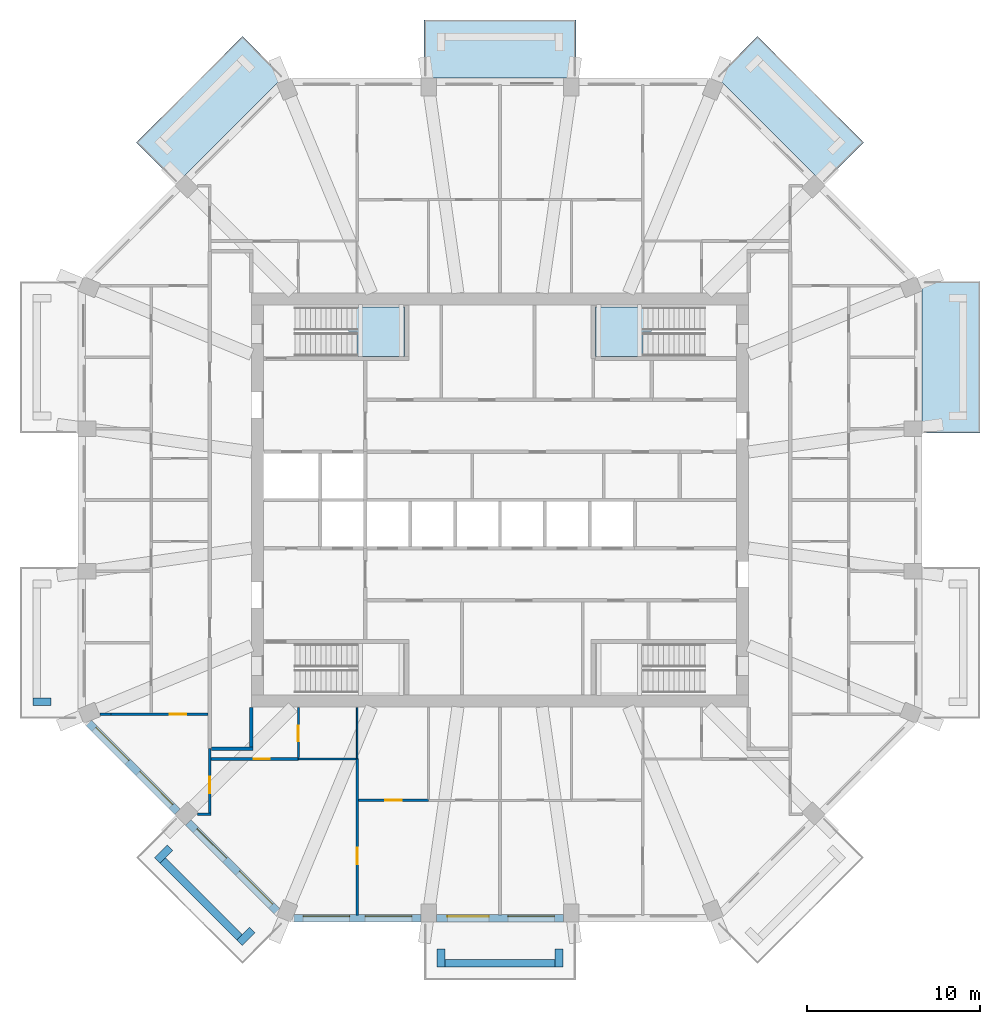
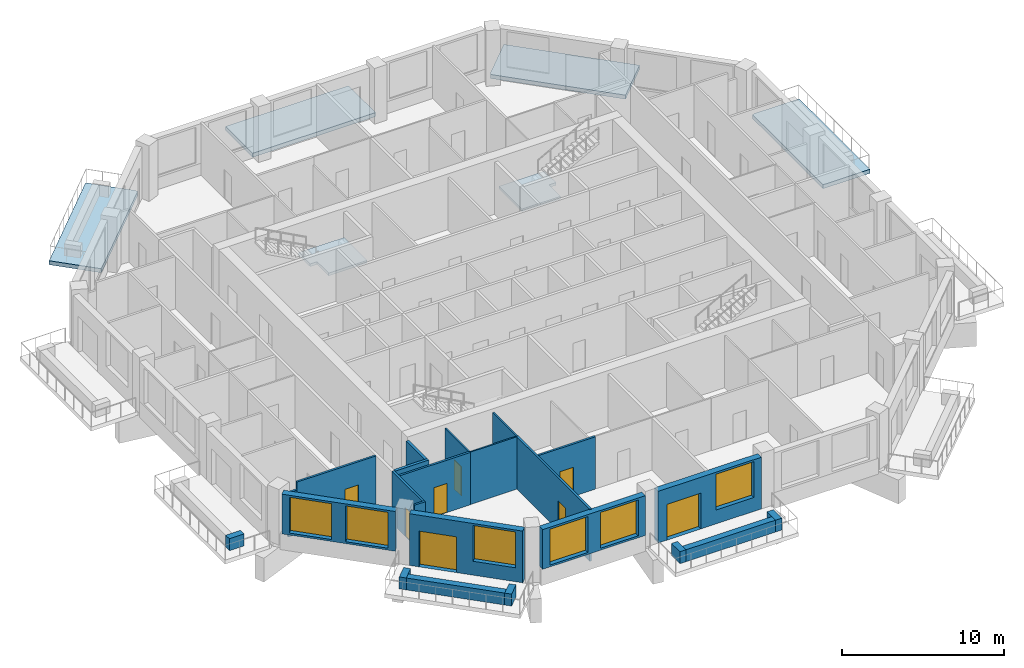
# One storey, part 2 of 12: 23 walls, 8 doors, 6 slabs, 6 windows, 14 openings, 2 elements without a shape of their own.
"""IFC4 building model written with IfcOpenShell, lengths in metres."""

from ifc_helpers import new_model, si_unit, direction, frame, frame_2d, origin, place, context, subcontext, project, spatial, polyline, rectangle, outline, extrude, material, layer, layer_set, type_object, element, fill, aggregate, save


model = new_model("IFC4")

# Units and contexts
model_context = context("Model", 3, precision=1e-05, world=origin(), true_north=direction((0.0, 1.0)))
body_context = subcontext(model_context, "Body", "Model", "MODEL_VIEW")
ifc_project = project(units=[si_unit("LENGTHUNIT", "METRE"), si_unit("AREAUNIT", "SQUARE_METRE"), si_unit("VOLUMEUNIT", "CUBIC_METRE"), si_unit("PLANEANGLEUNIT", "RADIAN"), si_unit("MASSUNIT", "GRAM", prefix="KILO")], contexts=[model_context])

# Site, building, storey
site_placement = place(None, origin())
site = spatial("IfcSite", under=ifc_project, at=site_placement, CompositionType="ELEMENT")
building_placement = place(site_placement, origin())
building = spatial("IfcBuilding", under=site, at=building_placement, Name="Msitu Wima Residences", CompositionType="ELEMENT")
storey_placement = place(building_placement, frame((0.0, 0.0, 162.300048828125)))
storey = spatial("IfcBuildingStorey", under=building, at=storey_placement, Name="L37", CompositionType="ELEMENT", Elevation=162.300048828125)

# Slabs
ifc_material_1 = material(Name="Concrete C40/50", Category="concrete")
ifc_layer_1 = layer(ifc_material_1, 0.300048828125)
ifc_layer_set_1 = layer_set([ifc_layer_1], Name="Concrete C40/50")
slab_type_1 = type_object("IfcSlabType", Name="Balcony slab BS300", PredefinedType="FLOOR", material=ifc_layer_set_1)
slab_1_placement = place(storey_placement, frame((0.0, 0.0, -0.300048828125)))
element("IfcSlab", 1, at=slab_1_placement, inside=storey, type_object=slab_type_1, Name="Balcony E2 L37", PredefinedType="FLOOR", context=body_context, shape_type="SweptSolid", body=[
    extrude(outline(polyline([(24.449951171875, 12.111083984375), (24.449951171875, 12.111083984375), (24.449951171875, 12.111083984375), (24.449951171875, 12.59814453125), (24.603515625, 12.661865234375), (27.800048828125, 12.661865234375), (27.800048828125, 3.88720703125), (24.449951171875, 3.88720703125), (24.449951171875, 4.587158203125), (24.449951171875, 12.111083984375)])), origin(), (0.0, 0.0, 1.0), 0.300048828125),
])
slab_2_placement = place(storey_placement, frame((0.0, 0.0, -0.300048828125)))
element("IfcSlab", 2, at=slab_2_placement, inside=storey, type_object=slab_type_1, Name="Balcony NE1 L37", PredefinedType="FLOOR", context=body_context, shape_type="SweptSolid", body=[
    extrude(outline(polyline([(12.942626953125, 24.10546875), (12.942626953125, 24.10546875), (12.59814453125, 24.449951171875), (12.661865234375, 24.603515625), (14.922119140625, 26.86376953125), (21.069580078125, 20.716064453125), (18.700927734375, 18.347412109375), (12.942626953125, 24.10546875), (12.942626953125, 24.10546875)])), origin(), (0.0, 0.0, 1.0), 0.300048828125),
])
slab_3_placement = place(storey_placement, frame((0.0, 0.0, -0.300048828125)))
element("IfcSlab", 3, at=slab_3_placement, inside=storey, type_object=slab_type_1, Name="Balcony N1 L37", PredefinedType="FLOOR", context=body_context, shape_type="SweptSolid", body=[
    extrude(outline(polyline([(3.687255859375, 24.449951171875), (-3.687255859375, 24.449951171875), (-4.38720703125, 24.449951171875), (-4.38720703125, 27.800048828125), (4.38720703125, 27.800048828125), (4.38720703125, 24.449951171875), (3.687255859375, 24.449951171875)])), origin(), (0.0, 0.0, 1.0), 0.300048828125),
])
slab_4_placement = place(storey_placement, frame((0.0, 0.0, -0.300048828125)))
element("IfcSlab", 4, at=slab_4_placement, inside=storey, type_object=slab_type_1, Name="Balcony NW0 L37", PredefinedType="FLOOR", context=body_context, shape_type="SweptSolid", body=[
    extrude(outline(polyline([(-12.942626953125, 24.10546875), (-12.942626953125, 24.10546875), (-18.700927734375, 18.347412109375), (-21.069580078125, 20.716064453125), (-14.922119140625, 26.86376953125), (-12.661865234375, 24.603515625), (-12.59814453125, 24.449951171875), (-12.942626953125, 24.10546875), (-12.942626953125, 24.10546875)])), origin(), (0.0, 0.0, 1.0), 0.300048828125),
])

# Stair, slab
stair_type = type_object("IfcStairType", Name="Exit stair ES1615-135", PredefinedType="HALF_TURN_STAIR", material=ifc_material_1)
stair_1_placement = place(storey_placement, origin())
stair_1 = element("IfcStair", 5, at=stair_1_placement, inside=storey, type_object=stair_type, Name="Exit stair 1", PredefinedType="HALF_TURN_STAIR")
ifc_layer_2 = layer(ifc_material_1, 0.199951171875)
ifc_layer_set_2 = layer_set([ifc_layer_2], Name="Concrete C40/50")
slab_type_2 = type_object("IfcSlabType", Name="Stair landing SL200", PredefinedType="LANDING", material=ifc_layer_set_2)
slab_5_placement = place(storey_placement, frame((0.0, 0.0, 1.89990234375)))
slab_5 = element("IfcSlab", 6, at=slab_5_placement, type_object=slab_type_2, Name="S1 landing 1", PredefinedType="LANDING", context=body_context, shape_type="SweptSolid", body=[
    extrude(outline(polyline([(-5.52490234375, 8.324951171875), (-8.275390625, 8.324951171875), (-8.275390625, 9.75), (-8.77490234375, 9.75), (-8.77490234375, 11.175048828125), (-5.52490234375, 11.175048828125), (-5.52490234375, 8.324951171875)])), origin(), (0.0, 0.0, 1.0), 0.199951171875),
])
aggregate(stair_1, [slab_5])

stair_2_placement = place(storey_placement, origin())
stair_2 = element("IfcStair", 7, at=stair_2_placement, inside=storey, type_object=stair_type, Name="Exit stair 3", PredefinedType="HALF_TURN_STAIR")
slab_6_placement = place(storey_placement, frame((0.0, 0.0, 1.89990234375)))
slab_6 = element("IfcSlab", 8, at=slab_6_placement, type_object=slab_type_2, Name="S3 landing 1", PredefinedType="LANDING", context=body_context, shape_type="SweptSolid", body=[
    extrude(outline(polyline([(5.52490234375, 8.324951171875), (8.275390625, 8.324951171875), (8.275390625, 9.75), (8.77490234375, 9.75), (8.77490234375, 11.175048828125), (5.52490234375, 11.175048828125), (5.52490234375, 8.324951171875)])), origin(), (0.0, 0.0, 1.0), 0.199951171875),
])
aggregate(stair_2, [slab_6])

# Walls
ifc_material_2 = material(Name="Facing brick")
ifc_layer_3 = layer(ifc_material_2, 0.06494140625, Name="Facing brick")
ifc_layer_4 = layer(ifc_material_1, 0.156005859375, Name="Concrete C40/50")
ifc_material_3 = material(Name="Waterproofing membrane")
ifc_layer_5 = layer(ifc_material_3, 0.00390625, Name="Waterproofing membrane")
ifc_material_4 = material(Name="Planting soil and planting")
ifc_layer_6 = layer(ifc_material_4, 0.22509765625, Name="Planting soil and planting")
ifc_layer_set_3 = layer_set([ifc_layer_3, ifc_layer_4, ifc_layer_5, ifc_layer_6], Name="Concrete C40/50")
wall_type_1 = type_object("IfcWallType", Name="Balcony planter PLANTER PL450", PredefinedType="USERDEFINED", material=ifc_layer_set_3)
wall_1_placement = place(storey_placement, frame((-26.0, -11.686767578125, 0.0), z_axis=(0.0, 0.0, 1.0), x_axis=(-1.0, 0.0, 0.0)))
element("IfcWall", 9, at=wall_1_placement, inside=storey, type_object=wall_type_1, Name="Balcony planter W2 L37", ObjectType="PLANTER", PredefinedType="USERDEFINED", context=body_context, shape_type="SweptSolid", body=[
    extrude(rectangle(XDim=1.050048828125, YDim=0.449951171875, at=frame_2d((0.52490234375, 0.0))), origin(), (0.0, 0.0, 1.0), 0.89990234375),
])
wall_2_placement = place(storey_placement, frame((-19.53173828125, -20.875244140625, 0.0), z_axis=(0.0, 0.0, 1.0), x_axis=(0.707106781187, -0.707106781187, 0.0)))
element("IfcWall", 10, at=wall_2_placement, inside=storey, type_object=wall_type_1, Name="Balcony planter SW1 L37", ObjectType="PLANTER", PredefinedType="USERDEFINED", context=body_context, shape_type="SweptSolid", body=[
    extrude(rectangle(XDim=6.294189453125, YDim=0.449951171875, at=frame_2d((3.14697265625, 0.0))), origin(), (0.0, 0.0, 1.0), 0.89990234375),
])
for number, where, z_axis, x_axis, name in (
    (11, (-19.107421875, -20.1328125, 0.0), (0.0, 0.0, 1.0), (-0.707106781187, -0.707106781187, 0.0), "Balcony planter SW1 L37"),
    (12, (-14.338623046875, -24.901611328125, 0.0), (0.0, 0.0, 1.0), (-0.707106781187, -0.707106781187, 0.0), "Balcony planter SW1 L37"),
):
    element("IfcWall", number, at=place(storey_placement, frame(where, z_axis=z_axis, x_axis=x_axis)), inside=storey, type_object=wall_type_1, Name=name, ObjectType="PLANTER", PredefinedType="USERDEFINED", context=body_context, shape_type="SweptSolid", body=[
        extrude(rectangle(XDim=1.050048828125, YDim=0.449951171875, at=frame_2d((0.52490234375, 0.0))), origin(), (0.0, 0.0, 1.0), 0.89990234375),
    ])
wall_3_placement = place(storey_placement, frame((-3.187255859375, -26.824951171875, 0.0), z_axis=(0.0, 0.0, 1.0), x_axis=(1.0, 0.0, 0.0)))
element("IfcWall", 13, at=wall_3_placement, inside=storey, type_object=wall_type_1, Name="Balcony planter S1 L37", ObjectType="PLANTER", PredefinedType="USERDEFINED", context=body_context, shape_type="SweptSolid", body=[
    extrude(rectangle(XDim=6.37451171875, YDim=0.449951171875, at=frame_2d((3.187255859375, 0.0))), origin(), (0.0, 0.0, 1.0), 0.89990234375),
])
for number, where, z_axis, x_axis, name in (
    (14, (-3.412353515625, -26.0, 0.0), (0.0, 0.0, 1.0), (0.0, -1.0, 0.0), "Balcony planter S1 L37"),
    (15, (3.412353515625, -26.0, 0.0), (0.0, 0.0, 1.0), (0.0, -1.0, 0.0), "Balcony planter S1 L37"),
):
    element("IfcWall", number, at=place(storey_placement, frame(where, z_axis=z_axis, x_axis=x_axis)), inside=storey, type_object=wall_type_1, Name=name, ObjectType="PLANTER", PredefinedType="USERDEFINED", context=body_context, shape_type="SweptSolid", body=[
        extrude(rectangle(XDim=1.050048828125, YDim=0.449951171875, at=frame_2d((0.52490234375, 0.0))), origin(), (0.0, 0.0, 1.0), 0.89990234375),
    ])

# Wall, openings, windows
ifc_material_5 = material(Name="Brick (red buff mix)", Category="masonry")
ifc_layer_7 = layer(ifc_material_5, 0.449951171875)
ifc_layer_set_4 = layer_set([ifc_layer_7], Name="Brick (red buff mix)")
wall_type_2 = type_object("IfcWallType", Name="Brick infill wall BW450", PredefinedType="SOLIDWALL", material=ifc_layer_set_4)
wall_4_placement = place(storey_placement, frame((-23.814697265625, -12.915283203125, 0.89990234375), z_axis=(0.0, 0.0, 1.0), x_axis=(0.707106781187, -0.707106781187, 0.0)))
wall_4 = element("IfcWall", 16, at=wall_4_placement, inside=storey, type_object=wall_type_2, Name="Brick infill wall L37 SW0", PredefinedType="SOLIDWALL", context=body_context, shape_type="SweptSolid", body=[
    extrude(rectangle(XDim=7.257080078125, YDim=0.449951171875, at=frame_2d((3.62841796875, 0.0))), origin(), (0.0, 0.0, 1.0), 3.0),
])
opening_1_placement = place(wall_4_placement, frame((0.478515625, 0.0, 0.14990234375)))
opening_1 = element("IfcOpeningElement", 17, at=opening_1_placement, cuts=wall_4, Name="Opening W37.024", PredefinedType="OPENING", context=body_context, shape_type="SweptSolid", body=[
    extrude(rectangle(XDim=2.699951171875, YDim=2.699951171875, at=frame_2d((1.35009765625, 1.35009765625))), frame((0.0, 0.23486328125, 0.0), z_axis=(0.0, -1.0, 0.0), x_axis=(1.0, 0.0, 0.0)), (0.0, 0.0, 1.0), 0.469970703125),
])
opening_2_placement = place(wall_4_placement, frame((4.07861328125, 0.0, 0.14990234375)))
opening_2 = element("IfcOpeningElement", 18, at=opening_2_placement, cuts=wall_4, Name="Opening W37.025", PredefinedType="OPENING", context=body_context, shape_type="SweptSolid", body=[
    extrude(rectangle(XDim=2.699951171875, YDim=2.699951171875, at=frame_2d((1.35009765625, 1.35009765625))), frame((0.0, 0.23486328125, 0.0), z_axis=(0.0, -1.0, 0.0), x_axis=(1.0, 0.0, 0.0)), (0.0, 0.0, 1.0), 0.469970703125),
])
ifc_material_6 = material(Name="Anodised aluminium, bronze finish, clear low-emissivity double glazing", Category="aluminium")
window_type = type_object("IfcWindowType", Name="Window W2700x2700", PartitioningType="DOUBLE_PANEL_VERTICAL", PredefinedType="WINDOW", material=ifc_material_6)
window_1_placement = place(opening_1_placement, origin())
window_1 = element("IfcWindow", 19, at=window_1_placement, inside=storey, type_object=window_type, Name="Window L37 SW0.1", OverallHeight=2.699951171875, OverallWidth=2.699951171875, PartitioningType="SINGLE_PANEL", PredefinedType="WINDOW", context=body_context, shape_type="SweptSolid", body=[
    extrude(rectangle(XDim=2.699951171875, YDim=2.699951171875, at=frame_2d((1.35009765625, 1.35009765625))), frame((0.0, 0.135009765625, 0.0), z_axis=(0.0, -1.0, 0.0), x_axis=(1.0, 0.0, 0.0)), (0.0, 0.0, 1.0), 0.06005859375),
])
fill(opening_1, window_1)
window_2_placement = place(opening_2_placement, origin())
window_2 = element("IfcWindow", 20, at=window_2_placement, inside=storey, type_object=window_type, Name="Window L37 SW0.2", OverallHeight=2.699951171875, OverallWidth=2.699951171875, PartitioningType="SINGLE_PANEL", PredefinedType="WINDOW", context=body_context, shape_type="SweptSolid", body=[
    extrude(rectangle(XDim=2.699951171875, YDim=2.699951171875, at=frame_2d((1.35009765625, 1.35009765625))), frame((0.0, 0.135009765625, 0.0), z_axis=(0.0, -1.0, 0.0), x_axis=(1.0, 0.0, 0.0)), (0.0, 0.0, 1.0), 0.06005859375),
])
fill(opening_2, window_2)

# Wall, openings, door, window
wall_5_placement = place(storey_placement, frame((-18.046875, -18.68310546875, 0.0), z_axis=(0.0, 0.0, 1.0), x_axis=(0.707106781187, -0.707106781187, 0.0)))
wall_5 = element("IfcWall", 21, at=wall_5_placement, inside=storey, type_object=wall_type_2, Name="Brick infill wall L37 SW1", PredefinedType="SOLIDWALL", context=body_context, shape_type="SweptSolid", body=[
    extrude(rectangle(XDim=7.257080078125, YDim=0.449951171875, at=frame_2d((3.62841796875, 0.0))), origin(), (0.0, 0.0, 1.0), 3.89990234375),
])
opening_3_placement = place(wall_5_placement, frame((0.6142578125, 0.0, 0.0)))
opening_3 = element("IfcOpeningElement", 22, at=opening_3_placement, cuts=wall_5, Name="Opening D37.008", PredefinedType="OPENING", context=body_context, shape_type="SweptSolid", body=[
    extrude(rectangle(XDim=2.39990234375, YDim=2.699951171875, at=frame_2d((1.199951171875, 1.35009765625))), frame((0.0, 0.23486328125, 0.0), z_axis=(0.0, -1.0, 0.0), x_axis=(1.0, 0.0, 0.0)), (0.0, 0.0, 1.0), 0.469970703125),
])
opening_4_placement = place(wall_5_placement, frame((4.07861328125, 0.0, 1.050048828125)))
opening_4 = element("IfcOpeningElement", 23, at=opening_4_placement, cuts=wall_5, Name="Opening W37.026", PredefinedType="OPENING", context=body_context, shape_type="SweptSolid", body=[
    extrude(rectangle(XDim=2.699951171875, YDim=2.699951171875, at=frame_2d((1.35009765625, 1.35009765625))), frame((0.0, 0.23486328125, 0.0), z_axis=(0.0, -1.0, 0.0), x_axis=(1.0, 0.0, 0.0)), (0.0, 0.0, 1.0), 0.469970703125),
])
door_type_1 = type_object("IfcDoorType", Name="Balcony door D2400x2700", OperationType="SLIDING_TO_LEFT", PredefinedType="DOOR", material=ifc_material_6)
door_1_placement = place(opening_3_placement, origin())
door_1 = element("IfcDoor", 24, at=door_1_placement, inside=storey, type_object=door_type_1, Name="Balcony door L37 SW1", OperationType="SINGLE_SWING_LEFT", OverallHeight=2.699951171875, OverallWidth=2.39990234375, PredefinedType="DOOR", context=body_context, shape_type="SweptSolid", body=[
    extrude(rectangle(XDim=2.39990234375, YDim=2.699951171875, at=frame_2d((1.199951171875, 1.35009765625))), frame((0.0, 0.1298828125, 0.0), z_axis=(0.0, -1.0, 0.0), x_axis=(1.0, 0.0, 0.0)), (0.0, 0.0, 1.0), 0.050048828125),
])
fill(opening_3, door_1)
window_3_placement = place(opening_4_placement, origin())
window_3 = element("IfcWindow", 25, at=window_3_placement, inside=storey, type_object=window_type, Name="Window L37 SW1.2", OverallHeight=2.699951171875, OverallWidth=2.699951171875, PartitioningType="SINGLE_PANEL", PredefinedType="WINDOW", context=body_context, shape_type="SweptSolid", body=[
    extrude(rectangle(XDim=2.699951171875, YDim=2.699951171875, at=frame_2d((1.35009765625, 1.35009765625))), frame((0.0, 0.135009765625, 0.0), z_axis=(0.0, -1.0, 0.0), x_axis=(1.0, 0.0, 0.0)), (0.0, 0.0, 1.0), 0.06005859375),
])
fill(opening_4, window_3)

# Wall, openings, windows
wall_6_placement = place(storey_placement, frame((-11.9248046875, -24.22509765625, 0.89990234375), z_axis=(0.0, 0.0, 1.0), x_axis=(1.0, 0.0, 0.0)))
wall_6 = element("IfcWall", 26, at=wall_6_placement, inside=storey, type_object=wall_type_2, Name="Brick infill wall L37 S0", PredefinedType="SOLIDWALL", context=body_context, shape_type="SweptSolid", body=[
    extrude(rectangle(XDim=7.337646484375, YDim=0.449951171875, at=frame_2d((3.6689453125, 0.0))), origin(), (0.0, 0.0, 1.0), 3.0),
])
opening_5_placement = place(wall_6_placement, frame((0.518798828125, 0.0, 0.14990234375)))
opening_5 = element("IfcOpeningElement", 27, at=opening_5_placement, cuts=wall_6, Name="Opening W37.016", PredefinedType="OPENING", context=body_context, shape_type="SweptSolid", body=[
    extrude(rectangle(XDim=2.699951171875, YDim=2.699951171875, at=frame_2d((1.35009765625, 1.35009765625))), frame((0.0, 0.23486328125, 0.0), z_axis=(0.0, -1.0, 0.0), x_axis=(1.0, 0.0, 0.0)), (0.0, 0.0, 1.0), 0.469970703125),
])
opening_6_placement = place(wall_6_placement, frame((4.11865234375, 0.0, 0.14990234375)))
opening_6 = element("IfcOpeningElement", 28, at=opening_6_placement, cuts=wall_6, Name="Opening W37.017", PredefinedType="OPENING", context=body_context, shape_type="SweptSolid", body=[
    extrude(rectangle(XDim=2.699951171875, YDim=2.699951171875, at=frame_2d((1.35009765625, 1.35009765625))), frame((0.0, 0.23486328125, 0.0), z_axis=(0.0, -1.0, 0.0), x_axis=(1.0, 0.0, 0.0)), (0.0, 0.0, 1.0), 0.469970703125),
])
window_4_placement = place(opening_5_placement, origin())
window_4 = element("IfcWindow", 29, at=window_4_placement, inside=storey, type_object=window_type, Name="Window L37 S0.1", OverallHeight=2.699951171875, OverallWidth=2.699951171875, PartitioningType="SINGLE_PANEL", PredefinedType="WINDOW", context=body_context, shape_type="SweptSolid", body=[
    extrude(rectangle(XDim=2.699951171875, YDim=2.699951171875, at=frame_2d((1.35009765625, 1.35009765625))), frame((0.0, 0.135009765625, 0.0), z_axis=(0.0, -1.0, 0.0), x_axis=(1.0, 0.0, 0.0)), (0.0, 0.0, 1.0), 0.06005859375),
])
fill(opening_5, window_4)
window_5_placement = place(opening_6_placement, origin())
window_5 = element("IfcWindow", 30, at=window_5_placement, inside=storey, type_object=window_type, Name="Window L37 S0.2", OverallHeight=2.699951171875, OverallWidth=2.699951171875, PartitioningType="SINGLE_PANEL", PredefinedType="WINDOW", context=body_context, shape_type="SweptSolid", body=[
    extrude(rectangle(XDim=2.699951171875, YDim=2.699951171875, at=frame_2d((1.35009765625, 1.35009765625))), frame((0.0, 0.135009765625, 0.0), z_axis=(0.0, -1.0, 0.0), x_axis=(1.0, 0.0, 0.0)), (0.0, 0.0, 1.0), 0.06005859375),
])
fill(opening_6, window_5)

# Wall, openings, door, window
wall_7_placement = place(storey_placement, frame((-3.687255859375, -24.22509765625, 0.0), z_axis=(0.0, 0.0, 1.0), x_axis=(1.0, 0.0, 0.0)))
wall_7 = element("IfcWall", 31, at=wall_7_placement, inside=storey, type_object=wall_type_2, Name="Brick infill wall L37 S1", PredefinedType="SOLIDWALL", context=body_context, shape_type="SweptSolid", body=[
    extrude(rectangle(XDim=7.37451171875, YDim=0.449951171875, at=frame_2d((3.687255859375, 0.0))), origin(), (0.0, 0.0, 1.0), 3.89990234375),
])
opening_7_placement = place(wall_7_placement, frame((0.6435546875, 0.0, 0.0)))
opening_7 = element("IfcOpeningElement", 32, at=opening_7_placement, cuts=wall_7, Name="Opening D37.006", PredefinedType="OPENING", context=body_context, shape_type="SweptSolid", body=[
    extrude(rectangle(XDim=2.39990234375, YDim=2.699951171875, at=frame_2d((1.199951171875, 1.35009765625))), frame((0.0, 0.23486328125, 0.0), z_axis=(0.0, -1.0, 0.0), x_axis=(1.0, 0.0, 0.0)), (0.0, 0.0, 1.0), 0.469970703125),
])
opening_8_placement = place(wall_7_placement, frame((4.13720703125, 0.0, 1.050048828125)))
opening_8 = element("IfcOpeningElement", 33, at=opening_8_placement, cuts=wall_7, Name="Opening W37.018", PredefinedType="OPENING", context=body_context, shape_type="SweptSolid", body=[
    extrude(rectangle(XDim=2.699951171875, YDim=2.699951171875, at=frame_2d((1.35009765625, 1.35009765625))), frame((0.0, 0.23486328125, 0.0), z_axis=(0.0, -1.0, 0.0), x_axis=(1.0, 0.0, 0.0)), (0.0, 0.0, 1.0), 0.469970703125),
])
door_2_placement = place(opening_7_placement, origin())
door_2 = element("IfcDoor", 34, at=door_2_placement, inside=storey, type_object=door_type_1, Name="Balcony door L37 S1", OperationType="SINGLE_SWING_LEFT", OverallHeight=2.699951171875, OverallWidth=2.39990234375, PredefinedType="DOOR", context=body_context, shape_type="SweptSolid", body=[
    extrude(rectangle(XDim=2.39990234375, YDim=2.699951171875, at=frame_2d((1.199951171875, 1.35009765625))), frame((0.0, 0.1298828125, 0.0), z_axis=(0.0, -1.0, 0.0), x_axis=(1.0, 0.0, 0.0)), (0.0, 0.0, 1.0), 0.050048828125),
])
fill(opening_7, door_2)
window_6_placement = place(opening_8_placement, origin())
window_6 = element("IfcWindow", 35, at=window_6_placement, inside=storey, type_object=window_type, Name="Window L37 S1.2", OverallHeight=2.699951171875, OverallWidth=2.699951171875, PartitioningType="SINGLE_PANEL", PredefinedType="WINDOW", context=body_context, shape_type="SweptSolid", body=[
    extrude(rectangle(XDim=2.699951171875, YDim=2.699951171875, at=frame_2d((1.35009765625, 1.35009765625))), frame((0.0, 0.135009765625, 0.0), z_axis=(0.0, -1.0, 0.0), x_axis=(1.0, 0.0, 0.0)), (0.0, 0.0, 1.0), 0.06005859375),
])
fill(opening_8, window_6)

# Walls
ifc_material_7 = material(Name="Plaster")
ifc_layer_8 = layer(ifc_material_7, 0.011962890625, Name="Plaster")
ifc_material_8 = material(Name="Concrete blockwork", Category="masonry")
ifc_layer_9 = layer(ifc_material_8, 0.176025390625, Name="Concrete blockwork")
ifc_layer_10 = layer(ifc_material_7, 0.011962890625, Name="Plaster")
ifc_layer_set_5 = layer_set([ifc_layer_8, ifc_layer_9, ifc_layer_10], Name="Concrete blockwork")
wall_type_3 = type_object("IfcWallType", Name="Corridor wall FW200", PredefinedType="PARTITIONING", material=ifc_layer_set_5)
wall_8_placement = place(storey_placement, frame((-16.699951171875, -14.39990234375, 0.0), z_axis=(0.0, 0.0, 1.0), x_axis=(1.0, 0.0, 0.0)))
element("IfcWall", 36, at=wall_8_placement, inside=storey, type_object=wall_type_3, Name="Corridor wall", PredefinedType="PARTITIONING", context=body_context, shape_type="SweptSolid", body=[
    extrude(rectangle(XDim=2.39990234375, YDim=0.199951171875, at=frame_2d((1.199951171875, 0.0))), origin(), (0.0, 0.0, 1.0), 3.949951171875),
])
wall_9_placement = place(storey_placement, frame((-14.39990234375, -14.300048828125, 0.0), z_axis=(0.0, 0.0, 1.0), x_axis=(0.0, 1.0, 0.0)))
element("IfcWall", 37, at=wall_9_placement, inside=storey, type_object=wall_type_3, Name="Corridor wall", PredefinedType="PARTITIONING", context=body_context, shape_type="SweptSolid", body=[
    extrude(rectangle(XDim=2.27001953125, YDim=0.199951171875, at=frame_2d((1.135009765625, 0.0))), origin(), (0.0, 0.0, 1.0), 3.949951171875),
])
ifc_layer_11 = layer(ifc_material_7, 0.011962890625, Name="Plaster")
ifc_layer_12 = layer(ifc_material_8, 0.1259765625, Name="Concrete blockwork")
ifc_layer_13 = layer(ifc_material_7, 0.011962890625, Name="Plaster")
ifc_layer_set_6 = layer_set([ifc_layer_11, ifc_layer_12, ifc_layer_13], Name="Concrete blockwork")
wall_type_4 = type_object("IfcWallType", Name="Partition PW150", PredefinedType="PARTITIONING", material=ifc_layer_set_6)
wall_10_placement = place(storey_placement, frame((-23.1689453125, -12.411865234375, 0.0), z_axis=(0.0, 0.0, 1.0), x_axis=(1.0, 0.0, 0.0)))
element("IfcWall", 38, at=wall_10_placement, inside=storey, type_object=wall_type_4, Name="Partition", PredefinedType="PARTITIONING", context=body_context, shape_type="SweptSolid", body=[
    extrude(rectangle(XDim=0.630615234375, YDim=0.14990234375, at=frame_2d((0.3154296875, 0.0))), origin(), (0.0, 0.0, 1.0), 3.349853515625),
])

# Wall, opening, door
wall_11_placement = place(storey_placement, frame((-22.538330078125, -12.411865234375, 0.0), z_axis=(0.0, 0.0, 1.0), x_axis=(1.0, 0.0, 0.0)))
wall_11 = element("IfcWall", 39, at=wall_11_placement, inside=storey, type_object=wall_type_4, Name="Partition", PredefinedType="PARTITIONING", context=body_context, shape_type="SweptSolid", body=[
    extrude(rectangle(XDim=5.638427734375, YDim=0.14990234375, at=frame_2d((2.8193359375, 0.0))), origin(), (0.0, 0.0, 1.0), 3.949951171875),
])
opening_9_placement = place(wall_11_placement, frame((3.41943359375, 0.0, 0.0)))
opening_9 = element("IfcOpeningElement", 40, at=opening_9_placement, cuts=wall_11, Name="Opening D37.042", PredefinedType="OPENING", context=body_context, shape_type="SweptSolid", body=[
    extrude(rectangle(XDim=0.949951171875, YDim=2.199951171875, at=frame_2d((0.47509765625, 1.10009765625))), frame((0.0, 0.0849609375, 0.0), z_axis=(0.0, -1.0, 0.0), x_axis=(1.0, 0.0, 0.0)), (0.0, 0.0, 1.0), 0.169921875),
])
ifc_material_9 = material(Name="Timber flush door", Category="wood")
door_type_2 = type_object("IfcDoorType", Name="Room door D12 950x2200", OperationType="SINGLE_SWING_LEFT", PredefinedType="DOOR", material=ifc_material_9)
door_3_placement = place(opening_9_placement, origin())
door_3 = element("IfcDoor", 41, at=door_3_placement, inside=storey, type_object=door_type_2, Name="Room door", OperationType="SINGLE_SWING_LEFT", OverallHeight=2.199951171875, OverallWidth=0.949951171875, PredefinedType="DOOR", context=body_context, shape_type="SweptSolid", body=[
    extrude(rectangle(XDim=0.949951171875, YDim=2.199951171875, at=frame_2d((0.47509765625, 1.10009765625))), frame((0.0, 0.02490234375, 0.0), z_axis=(0.0, -1.0, 0.0), x_axis=(1.0, 0.0, 0.0)), (0.0, 0.0, 1.0), 0.050048828125),
])
fill(opening_9, door_3)

# Wall
wall_12_placement = place(storey_placement, frame((-17.509521484375, -18.205810546875, 0.0), z_axis=(0.0, 0.0, 1.0), x_axis=(1.0, 0.0, 0.0)))
element("IfcWall", 42, at=wall_12_placement, inside=storey, type_object=wall_type_4, Name="Partition", PredefinedType="PARTITIONING", context=body_context, shape_type="SweptSolid", body=[
    extrude(rectangle(XDim=0.784423828125, YDim=0.14990234375, at=frame_2d((0.39208984375, 0.0))), origin(), (0.0, 0.0, 1.0), 3.949951171875),
])

# Wall, opening, door
wall_13_placement = place(storey_placement, frame((-16.800048828125, -18.130859375, 0.0), z_axis=(0.0, 0.0, 1.0), x_axis=(0.0, 1.0, 0.0)))
wall_13 = element("IfcWall", 43, at=wall_13_placement, inside=storey, type_object=wall_type_4, Name="Partition", PredefinedType="PARTITIONING", context=body_context, shape_type="SweptSolid", body=[
    extrude(rectangle(XDim=3.73095703125, YDim=0.14990234375, at=frame_2d((1.865478515625, 0.0))), origin(), (0.0, 0.0, 1.0), 3.949951171875),
])
opening_10_placement = place(wall_13_placement, frame((1.14990234375, 0.0, 0.0)))
opening_10 = element("IfcOpeningElement", 44, at=opening_10_placement, cuts=wall_13, Name="Opening D37.043", PredefinedType="OPENING", context=body_context, shape_type="SweptSolid", body=[
    extrude(rectangle(XDim=0.949951171875, YDim=2.199951171875, at=frame_2d((0.47509765625, 1.10009765625))), frame((0.0, 0.0849609375, 0.0), z_axis=(0.0, -1.0, 0.0), x_axis=(1.0, 0.0, 0.0)), (0.0, 0.0, 1.0), 0.169921875),
])
door_4_placement = place(opening_10_placement, origin())
door_4 = element("IfcDoor", 45, at=door_4_placement, inside=storey, type_object=door_type_2, Name="Room door", OperationType="SINGLE_SWING_LEFT", OverallHeight=2.199951171875, OverallWidth=0.949951171875, PredefinedType="DOOR", context=body_context, shape_type="SweptSolid", body=[
    extrude(rectangle(XDim=0.949951171875, YDim=2.199951171875, at=frame_2d((0.47509765625, 1.10009765625))), frame((0.0, 0.02490234375, 0.0), z_axis=(0.0, -1.0, 0.0), x_axis=(1.0, 0.0, 0.0)), (0.0, 0.0, 1.0), 0.050048828125),
])
fill(opening_10, door_4)

wall_14_placement = place(storey_placement, frame((-16.72509765625, -15.0, 0.0), z_axis=(0.0, 0.0, 1.0), x_axis=(1.0, 0.0, 0.0)))
wall_14 = element("IfcWall", 46, at=wall_14_placement, inside=storey, type_object=wall_type_4, Name="Partition", PredefinedType="PARTITIONING", context=body_context, shape_type="SweptSolid", body=[
    extrude(rectangle(XDim=5.050537109375, YDim=0.14990234375, at=frame_2d((2.525390625, 0.0))), origin(), (0.0, 0.0, 1.0), 3.949951171875),
])
opening_11_placement = place(wall_14_placement, frame((2.449951171875, 0.0, 0.0)))
opening_11 = element("IfcOpeningElement", 47, at=opening_11_placement, cuts=wall_14, Name="Opening D37.045", PredefinedType="OPENING", context=body_context, shape_type="SweptSolid", body=[
    extrude(rectangle(XDim=0.949951171875, YDim=2.199951171875, at=frame_2d((0.47509765625, 1.10009765625))), frame((0.0, 0.0849609375, 0.0), z_axis=(0.0, -1.0, 0.0), x_axis=(1.0, 0.0, 0.0)), (0.0, 0.0, 1.0), 0.169921875),
])
door_5_placement = place(opening_11_placement, origin())
door_5 = element("IfcDoor", 48, at=door_5_placement, inside=storey, type_object=door_type_2, Name="Room door", OperationType="SINGLE_SWING_RIGHT", OverallHeight=2.199951171875, OverallWidth=0.949951171875, PredefinedType="DOOR", context=body_context, shape_type="SweptSolid", body=[
    extrude(rectangle(XDim=0.949951171875, YDim=2.199951171875, at=frame_2d((0.47509765625, 1.10009765625))), frame((0.0, 0.02490234375, 0.0), z_axis=(0.0, -1.0, 0.0), x_axis=(1.0, 0.0, 0.0)), (0.0, 0.0, 1.0), 0.050048828125),
])
fill(opening_11, door_5)

wall_15_placement = place(storey_placement, frame((-8.2744140625, -24.054931640625, 0.0), z_axis=(0.0, 0.0, 1.0), x_axis=(0.0, 1.0, 0.0)))
wall_15 = element("IfcWall", 49, at=wall_15_placement, inside=storey, type_object=wall_type_4, Name="Partition", PredefinedType="PARTITIONING", context=body_context, shape_type="SweptSolid", body=[
    extrude(rectangle(XDim=9.074951171875, YDim=0.14990234375, at=frame_2d((4.53759765625, 0.0))), origin(), (0.0, 0.0, 1.0), 3.949951171875),
])
opening_12_placement = place(wall_15_placement, frame((2.949951171875, 0.0, 0.0)))
opening_12 = element("IfcOpeningElement", 50, at=opening_12_placement, cuts=wall_15, Name="Opening D37.044", PredefinedType="OPENING", context=body_context, shape_type="SweptSolid", body=[
    extrude(rectangle(XDim=0.949951171875, YDim=2.199951171875, at=frame_2d((0.47509765625, 1.10009765625))), frame((0.0, 0.0849609375, 0.0), z_axis=(0.0, -1.0, 0.0), x_axis=(1.0, 0.0, 0.0)), (0.0, 0.0, 1.0), 0.169921875),
])
door_6_placement = place(opening_12_placement, origin())
door_6 = element("IfcDoor", 51, at=door_6_placement, inside=storey, type_object=door_type_2, Name="Room door", OperationType="SINGLE_SWING_LEFT", OverallHeight=2.199951171875, OverallWidth=0.949951171875, PredefinedType="DOOR", context=body_context, shape_type="SweptSolid", body=[
    extrude(rectangle(XDim=0.949951171875, YDim=2.199951171875, at=frame_2d((0.47509765625, 1.10009765625))), frame((0.0, 0.02490234375, 0.0), z_axis=(0.0, -1.0, 0.0), x_axis=(1.0, 0.0, 0.0)), (0.0, 0.0, 1.0), 0.050048828125),
])
fill(opening_12, door_6)

wall_16_placement = place(storey_placement, frame((-8.199462890625, -17.39990234375, 0.0), z_axis=(0.0, 0.0, 1.0), x_axis=(1.0, 0.0, 0.0)))
wall_16 = element("IfcWall", 52, at=wall_16_placement, inside=storey, type_object=wall_type_4, Name="Partition", PredefinedType="PARTITIONING", context=body_context, shape_type="SweptSolid", body=[
    extrude(rectangle(XDim=4.062255859375, YDim=0.14990234375, at=frame_2d((2.03125, 0.0))), origin(), (0.0, 0.0, 1.0), 3.949951171875),
])
opening_13_placement = place(wall_16_placement, frame((1.550048828125, 0.0, 0.0)))
opening_13 = element("IfcOpeningElement", 53, at=opening_13_placement, cuts=wall_16, Name="Opening D37.037", PredefinedType="OPENING", context=body_context, shape_type="SweptSolid", body=[
    extrude(rectangle(XDim=0.949951171875, YDim=2.199951171875, at=frame_2d((0.47509765625, 1.10009765625))), frame((0.0, 0.0849609375, 0.0), z_axis=(0.0, -1.0, 0.0), x_axis=(1.0, 0.0, 0.0)), (0.0, 0.0, 1.0), 0.169921875),
])
door_7_placement = place(opening_13_placement, origin())
door_7 = element("IfcDoor", 54, at=door_7_placement, inside=storey, type_object=door_type_2, Name="Room door", OperationType="SINGLE_SWING_RIGHT", OverallHeight=2.199951171875, OverallWidth=0.949951171875, PredefinedType="DOOR", context=body_context, shape_type="SweptSolid", body=[
    extrude(rectangle(XDim=0.949951171875, YDim=2.199951171875, at=frame_2d((0.47509765625, 1.10009765625))), frame((0.0, 0.02490234375, 0.0), z_axis=(0.0, -1.0, 0.0), x_axis=(1.0, 0.0, 0.0)), (0.0, 0.0, 1.0), 0.050048828125),
])
fill(opening_13, door_7)

ifc_material_10 = material(Name="Ceramic tiles")
ifc_layer_14 = layer(ifc_material_10, 0.008056640625, Name="Ceramic tiles")
ifc_material_11 = material(Name="Moisture-resistant board")
ifc_layer_15 = layer(ifc_material_11, 0.012451171875, Name="Moisture-resistant board")
ifc_material_12 = material(Name="Light-gauge stud framing with mineral wool")
ifc_layer_16 = layer(ifc_material_12, 0.06689453125, Name="Light-gauge stud framing with mineral wool")
ifc_layer_17 = layer(ifc_material_11, 0.012451171875, Name="Moisture-resistant board")
ifc_layer_set_7 = layer_set([ifc_layer_14, ifc_layer_15, ifc_layer_16, ifc_layer_17], Name="Light-gauge stud framing with mineral wool")
wall_type_5 = type_object("IfcWallType", Name="Wet wall PW100", PredefinedType="PARTITIONING", material=ifc_layer_set_7)
wall_17_placement = place(storey_placement, frame((-11.674560546875, -14.925048828125, 0.0), z_axis=(0.0, 0.0, 1.0), x_axis=(0.0, 1.0, 0.0)))
wall_17 = element("IfcWall", 55, at=wall_17_placement, inside=storey, type_object=wall_type_5, Name="Wet wall", PredefinedType="PARTITIONING", context=body_context, shape_type="SweptSolid", body=[
    extrude(rectangle(XDim=2.89501953125, YDim=0.10009765625, at=frame_2d((1.447509765625, 0.0))), origin(), (0.0, 0.0, 1.0), 3.949951171875),
])
opening_14_placement = place(wall_17_placement, frame((0.949951171875, 0.0, 0.0)))
opening_14 = element("IfcOpeningElement", 56, at=opening_14_placement, cuts=wall_17, Name="Opening D37.038", PredefinedType="OPENING", context=body_context, shape_type="SweptSolid", body=[
    extrude(rectangle(XDim=0.89990234375, YDim=2.199951171875, at=frame_2d((0.449951171875, 1.10009765625))), frame((0.0, 0.06005859375, 0.0), z_axis=(0.0, -1.0, 0.0), x_axis=(1.0, 0.0, 0.0)), (0.0, 0.0, 1.0), 0.1201171875),
])
door_type_3 = type_object("IfcDoorType", Name="Service door D05 900x2200", OperationType="SINGLE_SWING_LEFT", PredefinedType="DOOR", material=ifc_material_9)
door_8_placement = place(opening_14_placement, origin())
door_8 = element("IfcDoor", 57, at=door_8_placement, inside=storey, type_object=door_type_3, Name="Service door", OperationType="SINGLE_SWING_RIGHT", OverallHeight=2.199951171875, OverallWidth=0.89990234375, PredefinedType="DOOR", context=body_context, shape_type="SweptSolid", body=[
    extrude(rectangle(XDim=0.89990234375, YDim=2.199951171875, at=frame_2d((0.449951171875, 1.10009765625))), frame((0.0, 0.02490234375, 0.0), z_axis=(0.0, -1.0, 0.0), x_axis=(1.0, 0.0, 0.0)), (0.0, 0.0, 1.0), 0.050048828125),
])
fill(opening_14, door_8)

# Walls
wall_18_placement = place(storey_placement, frame((-11.674560546875, -15.0, 0.0), z_axis=(0.0, 0.0, 1.0), x_axis=(1.0, 0.0, 0.0)))
element("IfcWall", 58, at=wall_18_placement, inside=storey, type_object=wall_type_5, Name="Wet wall", PredefinedType="PARTITIONING", context=body_context, shape_type="SweptSolid", body=[
    extrude(rectangle(XDim=3.324951171875, YDim=0.10009765625, at=frame_2d((1.66259765625, 0.0))), origin(), (0.0, 0.0, 1.0), 3.949951171875),
])
wall_19_placement = place(storey_placement, frame((-8.2744140625, -14.97998046875, 0.0), z_axis=(0.0, 0.0, 1.0), x_axis=(0.0, 1.0, 0.0)))
element("IfcWall", 59, at=wall_19_placement, inside=storey, type_object=wall_type_5, Name="Wet wall", PredefinedType="PARTITIONING", context=body_context, shape_type="SweptSolid", body=[
    extrude(rectangle(XDim=2.949951171875, YDim=0.10009765625, at=frame_2d((1.47509765625, 0.0))), origin(), (0.0, 0.0, 1.0), 3.949951171875),
])

save(model, "model.ifc")
